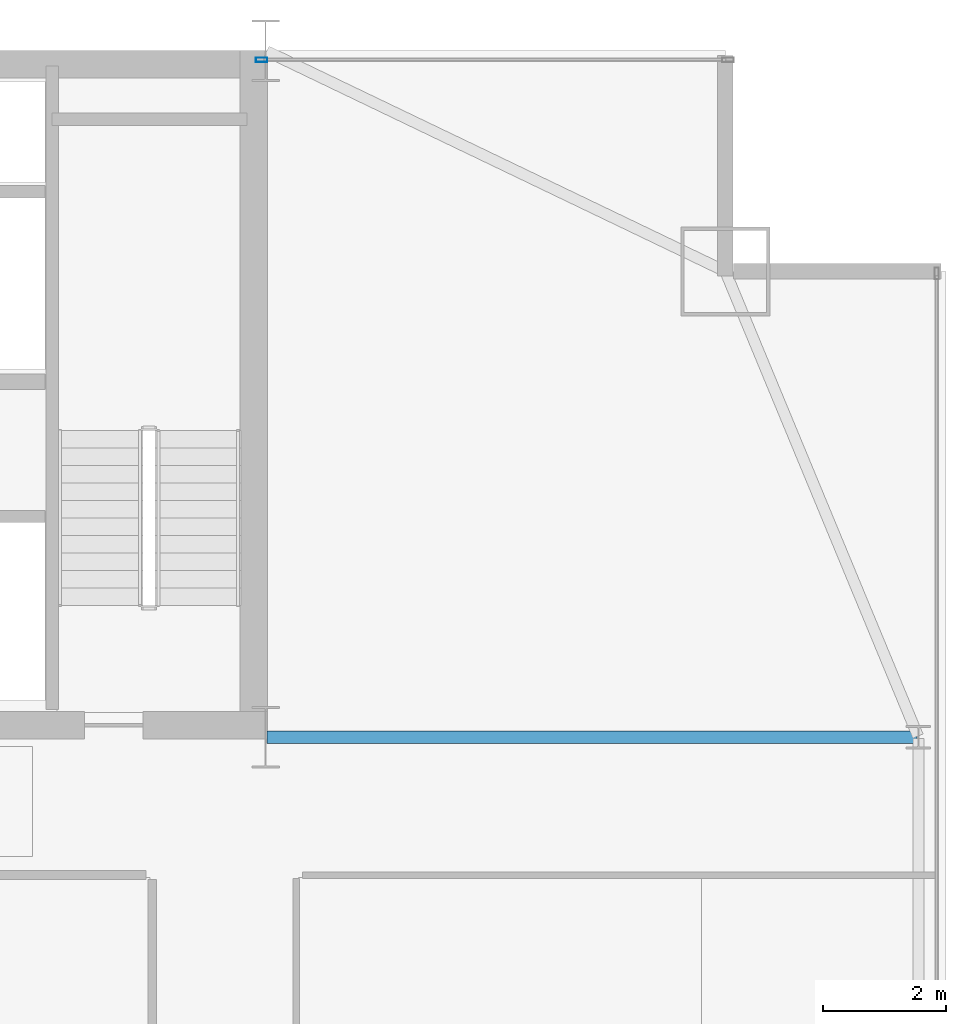
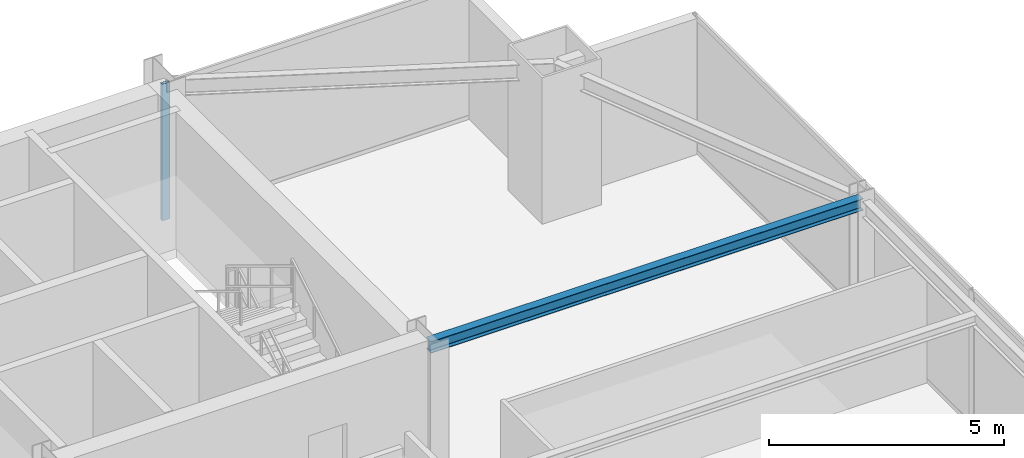
# One storey, part 24 of 34: 1 beam, 1 member, 1 element without a shape of its own.
"""IFC4 building model written with IfcOpenShell, lengths in metres."""

from ifc_helpers import new_model, si_unit, direction, frame, origin, origin_2d, place, context, subcontext, project, spatial, hollow_rectangle, i_section, extrude, source, transform, mapped, material, layer, layer_set, material_profile, profile_set, type_object, type_shapes, element, aggregate, save


model = new_model("IFC4")

# Units and contexts
model_context = context("Model", 3, precision=1e-05, world=origin(), true_north=direction((0.0, 1.0)))
body_context = subcontext(model_context, "Body", "Model", "MODEL_VIEW")
ifc_project = project(units=[si_unit("LENGTHUNIT", "METRE"), si_unit("AREAUNIT", "SQUARE_METRE"), si_unit("VOLUMEUNIT", "CUBIC_METRE"), si_unit("PLANEANGLEUNIT", "RADIAN"), si_unit("MASSUNIT", "GRAM", prefix="KILO")], contexts=[model_context])

# Site, building, storey
site_placement = place(None, origin())
site = spatial("IfcSite", under=ifc_project, at=site_placement, CompositionType="ELEMENT")
building_placement = place(site_placement, origin())
building = spatial("IfcBuilding", under=site, at=building_placement, Name="Varnel Quay Broadcast Tower", CompositionType="ELEMENT")
storey_placement = place(building_placement, frame((0.0, 0.0, 110.60009765625)))
storey = spatial("IfcBuildingStorey", under=building, at=storey_placement, Name="L26", CompositionType="ELEMENT", Elevation=110.60009765625)

# Beam
ifc_material_1 = material(Name="Structural Steel CSA G40.21 350W", Category="steel")
ifc_material_profile_1 = material_profile(ifc_material_1, i_section(OverallWidth=0.202880859375, OverallDepth=0.302978515625, WebThickness=0.007568359375, FlangeThickness=0.01318359375, FilletRadius=0.011962890625, at=origin_2d()), Name="W310X60")
ifc_profile_set_1 = profile_set([ifc_material_profile_1], Name="Structural Steel CSA G40.21 350W")
beam_type = type_object("IfcBeamType", Name="Beam_W310X60", PredefinedType="JOIST", material=ifc_profile_set_1)
shared_shape_1 = source(origin(), body_context, "Body", "SweptSolid", [
    extrude(i_section(OverallWidth=0.202880859375, OverallDepth=0.302978515625, WebThickness=0.007568359375, FlangeThickness=0.01318359375, FilletRadius=0.011962890625, at=origin_2d()), origin(), (0.0, 0.0, 1.0), 10.610107421875),
])
type_shapes(beam_type, [shared_shape_1])
beam_placement = place(storey_placement, frame((52.419921875, 35.60009765625, 3.3984375), z_axis=(1.0, 0.0, 0.0), x_axis=(0.0, 1.0, 0.0)))
element("IfcBeam", 1, at=beam_placement, inside=storey, type_object=beam_type, Name="L26 East Core Tie Joist", PredefinedType="JOIST", context=body_context, shape_type="MappedRepresentation", body=[
    mapped(shared_shape_1, transform((0.0, 0.0, 0.0), x_axis=(1.0, 0.0, 0.0), y_axis=(0.0, 1.0, 0.0), z_axis=(0.0, 0.0, 1.0), scale=1.0)),
])

# Curtain wall, member
ifc_material_2 = material(Name="Anodised Bronze Aluminium 6063-T6", Category="aluminium")
ifc_layer = layer(ifc_material_2, 0.18994140625, Name="Anodised Bronze Aluminium 6063-T6")
ifc_layer_set = layer_set([ifc_layer], Name="Anodised Bronze Aluminium 6063-T6")
curtain_wall_type = type_object("IfcCurtainWallType", Name="CW_LowerTower", PredefinedType="NOTDEFINED", material=ifc_layer_set)
curtain_wall_placement = place(storey_placement, origin())
curtain_wall = element("IfcCurtainWall", 2, at=curtain_wall_placement, inside=storey, type_object=curtain_wall_type, Name="L26 NE Wing Curtain Wall", PredefinedType="NOTDEFINED")
ifc_material_profile_2 = material_profile(ifc_material_2, hollow_rectangle(XDim=0.070068359375, YDim=0.18994140625, WallThickness=0.00390625, at=origin_2d()), Name="ALU70X190X4")
ifc_profile_set_2 = profile_set([ifc_material_profile_2], Name="Anodised Bronze Aluminium 6063-T6")
member_type = type_object("IfcMemberType", Name="Mull_CWS-02", PredefinedType="MULLION", material=ifc_profile_set_2)
shared_shape_2 = source(origin(), body_context, "Body", "SweptSolid", [
    extrude(hollow_rectangle(XDim=0.070068359375, YDim=0.18994140625, WallThickness=0.00390625, at=origin_2d()), origin(), (0.0, 0.0, 1.0), 3.5498046875),
])
type_shapes(member_type, [shared_shape_2])
member_placement = place(storey_placement, frame((52.3349609375, 46.64990234375, 0.0), z_axis=(0.0, 0.0, 1.0), x_axis=(0.0, 1.0, 0.0)))
member = element("IfcMember", 3, at=member_placement, type_object=member_type, Name="CWS-02 mullion 1", PredefinedType="MULLION", context=body_context, shape_type="MappedRepresentation", body=[
    mapped(shared_shape_2, transform((0.0, 0.0, 0.0), x_axis=(1.0, 0.0, 0.0), y_axis=(0.0, 1.0, 0.0), z_axis=(0.0, 0.0, 1.0), scale=1.0)),
])
aggregate(curtain_wall, [member])

save(model, "model.ifc")
